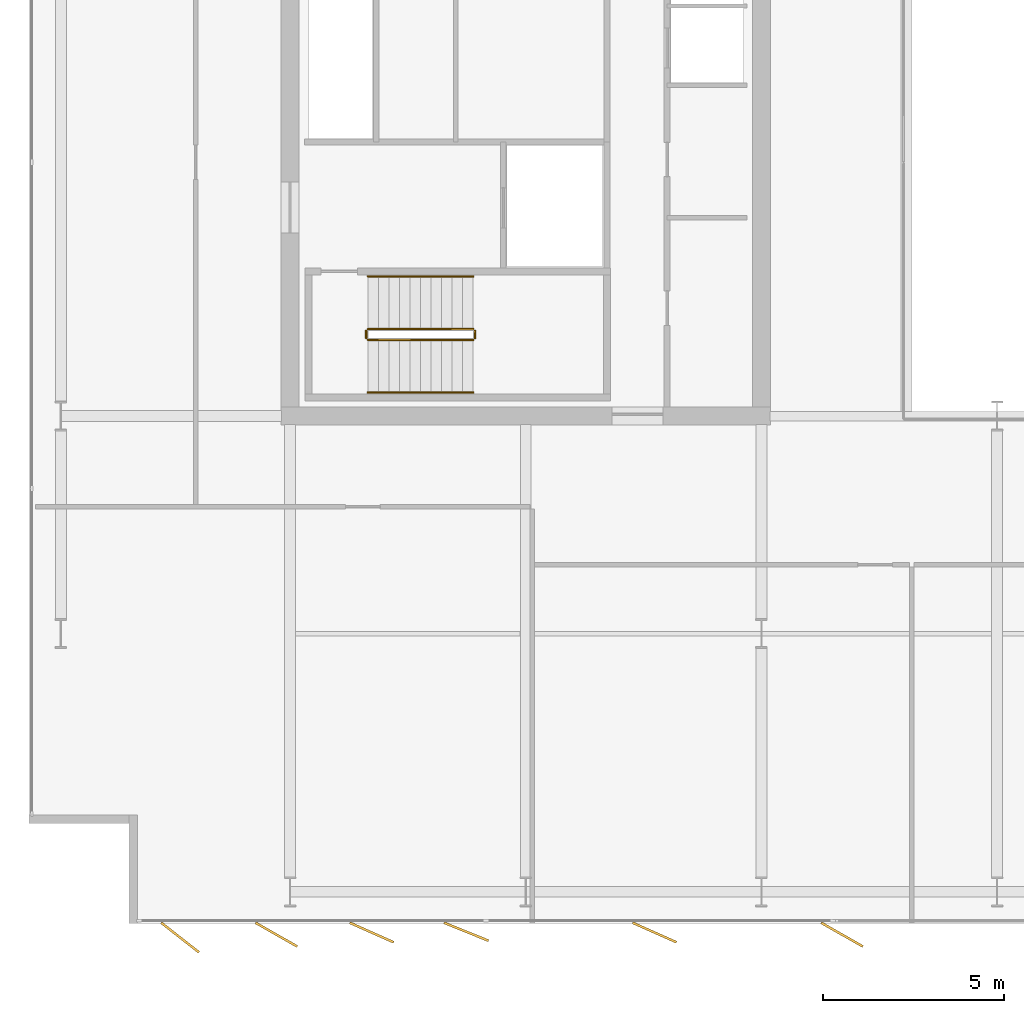
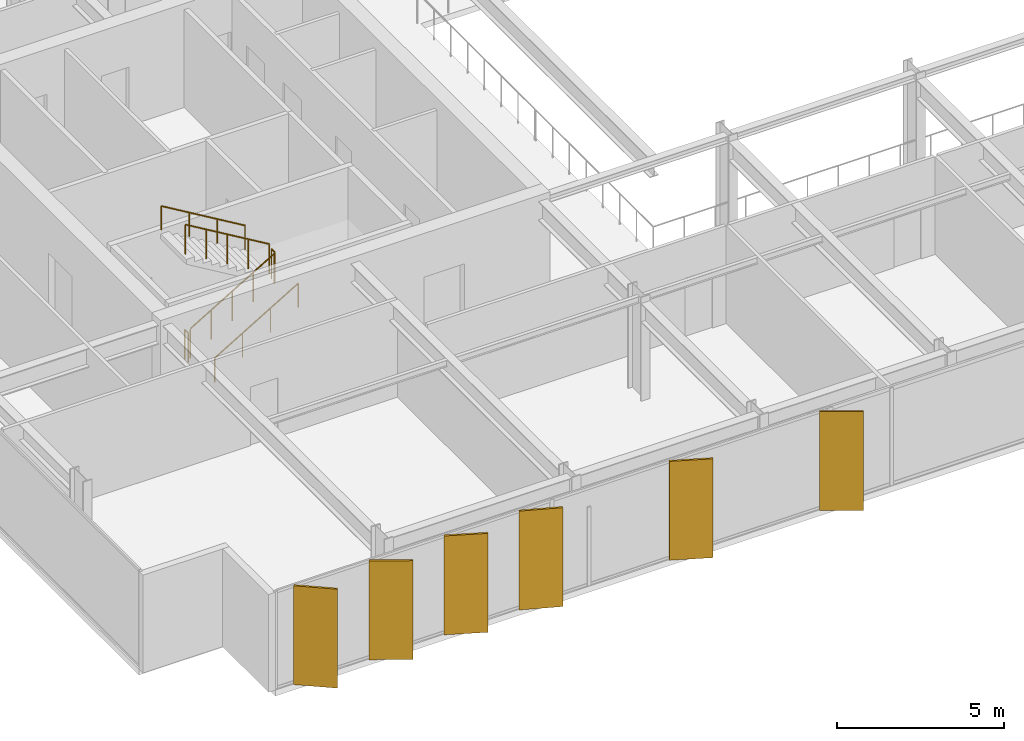
# One storey, part 20 of 23: 6 railings, 6 shading devices.
"""IFC4 building model written with IfcOpenShell, lengths in metres."""

from ifc_helpers import new_model, si_unit, direction, frame, origin, origin_2d, place, context, subcontext, project, spatial, rectangle, circle, extrude, material, layer, layer_set, type_object, element, save


model = new_model("IFC4")

# Units and contexts
model_context = context("Model", 3, precision=1e-05, world=origin(), true_north=direction((0.0, 1.0)))
body_context = subcontext(model_context, "Body", "Model", "MODEL_VIEW")
ifc_project = project(units=[si_unit("LENGTHUNIT", "METRE"), si_unit("AREAUNIT", "SQUARE_METRE"), si_unit("VOLUMEUNIT", "CUBIC_METRE"), si_unit("PLANEANGLEUNIT", "RADIAN"), si_unit("MASSUNIT", "GRAM", prefix="KILO")], contexts=[model_context])

# Site, building, storey
site_placement = place(None, origin())
site = spatial("IfcSite", under=ifc_project, at=site_placement, CompositionType="ELEMENT")
building_placement = place(site_placement, origin())
building = spatial("IfcBuilding", under=site, at=building_placement, Name="Putna Gate Headquarters", CompositionType="ELEMENT")
storey_placement = place(building_placement, frame((0.0, 0.0, 210.0)))
storey = spatial("IfcBuildingStorey", under=building, at=storey_placement, Name="L52", CompositionType="ELEMENT", Elevation=210.0)

# Railings
ifc_material_1 = material(Name="Powder-coated steel stair guardrail", Category="steel")
railing_type_1 = type_object("IfcRailingType", Name="RAIL-STAIR-GUARD-1100", PredefinedType="GUARDRAIL", material=ifc_material_1)
railing_1_placement = place(storey_placement, frame((15.14990234375, 21.10009765625, 0.172607421875)))
element("IfcRailing", 1, at=railing_1_placement, inside=storey, type_object=railing_type_1, Name="L52 ST1 stair guard 1", PredefinedType="GUARDRAIL", context=body_context, shape_type="SweptSolid", body=[
    extrude(circle(Radius=0.02392578125, at=origin_2d()), frame((0.0, 0.0, 1.076171875), z_axis=(0.859160404282, 0.0, 0.51170636083), x_axis=(0.0, 1.0, 0.0)), (0.0, 0.0, 1.0), 3.37548828125),
    extrude(circle(Radius=0.02099609375, at=origin_2d()), origin(), (0.0, 0.0, 1.0), 1.052001953125),
    extrude(circle(Radius=0.02099609375, at=origin_2d()), frame((0.72509765625, 0.0, 0.431884765625)), (0.0, 0.0, 1.0), 1.052001953125),
    extrude(circle(Radius=0.02099609375, at=origin_2d()), frame((1.4501953125, 0.0, 0.86376953125)), (0.0, 0.0, 1.0), 1.052001953125),
    extrude(circle(Radius=0.02099609375, at=origin_2d()), frame((2.175048828125, 0.0, 1.29541015625)), (0.0, 0.0, 1.0), 1.052001953125),
    extrude(circle(Radius=0.02099609375, at=origin_2d()), frame((2.900146484375, 0.0, 1.727294921875)), (0.0, 0.0, 1.0), 1.052001953125),
])
railing_2_placement = place(storey_placement, frame((18.10009765625, 21.14990234375, 1.89990234375)))
element("IfcRailing", 2, at=railing_2_placement, inside=storey, type_object=railing_type_1, Name="L52 ST1 stair guard 2", PredefinedType="GUARDRAIL", context=body_context, shape_type="SweptSolid", body=[
    extrude(circle(Radius=0.02392578125, at=origin_2d()), frame((0.0, 0.0, 1.076171875), z_axis=(0.0, 1.0, 0.0), x_axis=(-1.0, 0.0, 0.0)), (0.0, 0.0, 1.0), 0.2001953125),
    extrude(circle(Radius=0.02099609375, at=origin_2d()), origin(), (0.0, 0.0, 1.0), 1.052001953125),
    extrude(circle(Radius=0.02099609375, at=origin_2d()), frame((0.0, 0.2001953125, 0.0)), (0.0, 0.0, 1.0), 1.052001953125),
])
railing_3_placement = place(storey_placement, frame((18.050048828125, 21.39990234375, 2.07275390625)))
element("IfcRailing", 3, at=railing_3_placement, inside=storey, type_object=railing_type_1, Name="L52 ST1 stair guard 3", PredefinedType="GUARDRAIL", context=body_context, shape_type="SweptSolid", body=[
    extrude(circle(Radius=0.02392578125, at=origin_2d()), frame((0.0, 0.0, 1.076171875), z_axis=(-0.859160404282, 0.0, 0.51170636083), x_axis=(0.0, -1.0, 0.0)), (0.0, 0.0, 1.0), 3.37548828125),
    extrude(circle(Radius=0.02099609375, at=origin_2d()), origin(), (0.0, 0.0, 1.0), 1.052001953125),
    extrude(circle(Radius=0.02099609375, at=origin_2d()), frame((-0.72509765625, 0.0, 0.431884765625)), (0.0, 0.0, 1.0), 1.052001953125),
    extrude(circle(Radius=0.02099609375, at=origin_2d()), frame((-1.4501953125, 0.0, 0.86376953125)), (0.0, 0.0, 1.0), 1.052001953125),
    extrude(circle(Radius=0.02099609375, at=origin_2d()), frame((-2.175048828125, 0.0, 1.29541015625)), (0.0, 0.0, 1.0), 1.052001953125),
    extrude(circle(Radius=0.02099609375, at=origin_2d()), frame((-2.900146484375, 0.0, 1.727294921875)), (0.0, 0.0, 1.0), 1.052001953125),
])
railing_4_placement = place(storey_placement, frame((15.10009765625, 21.14990234375, 0.0)))
element("IfcRailing", 4, at=railing_4_placement, inside=storey, type_object=railing_type_1, Name="L52 ST1 stair guard 4", PredefinedType="GUARDRAIL", context=body_context, shape_type="SweptSolid", body=[
    extrude(circle(Radius=0.02392578125, at=origin_2d()), frame((0.0, 0.0, 1.076171875), z_axis=(0.0, 1.0, 0.0), x_axis=(-1.0, 0.0, 0.0)), (0.0, 0.0, 1.0), 0.2001953125),
    extrude(circle(Radius=0.02099609375, at=origin_2d()), origin(), (0.0, 0.0, 1.0), 1.052001953125),
    extrude(circle(Radius=0.02099609375, at=origin_2d()), frame((0.0, 0.2001953125, 0.0)), (0.0, 0.0, 1.0), 1.052001953125),
])
ifc_material_2 = material(Name="Brushed stainless steel handrail", Category="steel")
railing_type_2 = type_object("IfcRailingType", Name="RAIL-STAIR-HAND-900", PredefinedType="HANDRAIL", material=ifc_material_2)
railing_5_placement = place(storey_placement, frame((15.14990234375, 19.64990234375, 0.172607421875)))
element("IfcRailing", 5, at=railing_5_placement, inside=storey, type_object=railing_type_2, Name="L52 ST1 stair handrail 1", PredefinedType="HANDRAIL", context=body_context, shape_type="SweptSolid", body=[
    extrude(circle(Radius=0.02392578125, at=origin_2d()), frame((0.0, 0.0, 0.8759765625), z_axis=(0.859160404282, 0.0, 0.51170636083), x_axis=(0.0, 1.0, 0.0)), (0.0, 0.0, 1.0), 3.37548828125),
    extrude(circle(Radius=0.02099609375, at=origin_2d()), origin(), (0.0, 0.0, 1.0), 0.851806640625),
    extrude(circle(Radius=0.02099609375, at=origin_2d()), frame((0.966796875, 0.0, 0.57568359375)), (0.0, 0.0, 1.0), 0.851806640625),
    extrude(circle(Radius=0.02099609375, at=origin_2d()), frame((1.933349609375, 0.0, 1.151611328125)), (0.0, 0.0, 1.0), 0.851806640625),
    extrude(circle(Radius=0.02099609375, at=origin_2d()), frame((2.900146484375, 0.0, 1.727294921875)), (0.0, 0.0, 1.0), 0.851806640625),
])
railing_6_placement = place(storey_placement, frame((18.050048828125, 22.85009765625, 2.07275390625)))
element("IfcRailing", 6, at=railing_6_placement, inside=storey, type_object=railing_type_2, Name="L52 ST1 stair handrail 2", PredefinedType="HANDRAIL", context=body_context, shape_type="SweptSolid", body=[
    extrude(circle(Radius=0.02392578125, at=origin_2d()), frame((0.0, 0.0, 0.8759765625), z_axis=(-0.859160404282, 0.0, 0.51170636083), x_axis=(0.0, -1.0, 0.0)), (0.0, 0.0, 1.0), 3.37548828125),
    extrude(circle(Radius=0.02099609375, at=origin_2d()), origin(), (0.0, 0.0, 1.0), 0.851806640625),
    extrude(circle(Radius=0.02099609375, at=origin_2d()), frame((-0.966796875, 0.0, 0.57568359375)), (0.0, 0.0, 1.0), 0.851806640625),
    extrude(circle(Radius=0.02099609375, at=origin_2d()), frame((-1.933349609375, 0.0, 1.151611328125)), (0.0, 0.0, 1.0), 0.851806640625),
    extrude(circle(Radius=0.02099609375, at=origin_2d()), frame((-2.900146484375, 0.0, 1.727294921875)), (0.0, 0.0, 1.0), 0.851806640625),
])

# Shading devices
ifc_material_3 = material(Name="Anodised architectural bronze aluminium fin", Category="aluminium")
ifc_layer = layer(ifc_material_3, 0.06494140625)
ifc_layer_set = layer_set([ifc_layer], Name="Anodised architectural bronze aluminium fin")
shading_device_type = type_object("IfcShadingDeviceType", Name="SHADE-BRONZE-FIN-1320", PredefinedType="USERDEFINED", material=ifc_layer_set)
for number, where, z_axis, x_axis, name in (
    (7, (9.9697265625, 4.6181640625, -0.02001953125), (0.0, 0.0, 1.0), (0.787473187632, -0.616348909921, 0.0), "L52 Bronze Vertical Shading Fin S1"),
    (8, (12.623779296875, 4.69873046875, -0.02001953125), (0.0, 0.0, 1.0), (0.869322458298, -0.494245347472, 0.0), "L52 Bronze Vertical Shading Fin S2"),
    (9, (15.2529296875, 4.7568359375, -0.02001953125), (0.0, 0.0, 1.0), (0.913687379856, -0.40641773078, 0.0), "L52 Bronze Vertical Shading Fin S3"),
    (10, (17.86181640625, 4.77783203125, -0.02001953125), (0.0, 0.0, 1.0), (0.927183854567, -0.374606593416, 0.0), "L52 Bronze Vertical Shading Fin S4"),
    (11, (23.052978515625, 4.7568359375, -0.02001953125), (0.0, 0.0, 1.0), (0.913687379856, -0.40641773078, 0.0), "L52 Bronze Vertical Shading Fin S5"),
    (12, (28.223876953125, 4.69873046875, -0.02001953125), (0.0, 0.0, 1.0), (0.869322458298, -0.494245347472, 0.0), "L52 Bronze Vertical Shading Fin S6"),
):
    element("IfcShadingDevice", number, at=place(storey_placement, frame(where, z_axis=z_axis, x_axis=x_axis)), inside=storey, type_object=shading_device_type, Name=name, ObjectType="FIN", PredefinedType="USERDEFINED", context=body_context, shape_type="SweptSolid", body=[
        extrude(rectangle(XDim=1.320068359375, YDim=0.06494140625, at=origin_2d()), origin(), (0.0, 0.0, 1.0), 3.6201171875),
    ])

save(model, "model.ifc")
